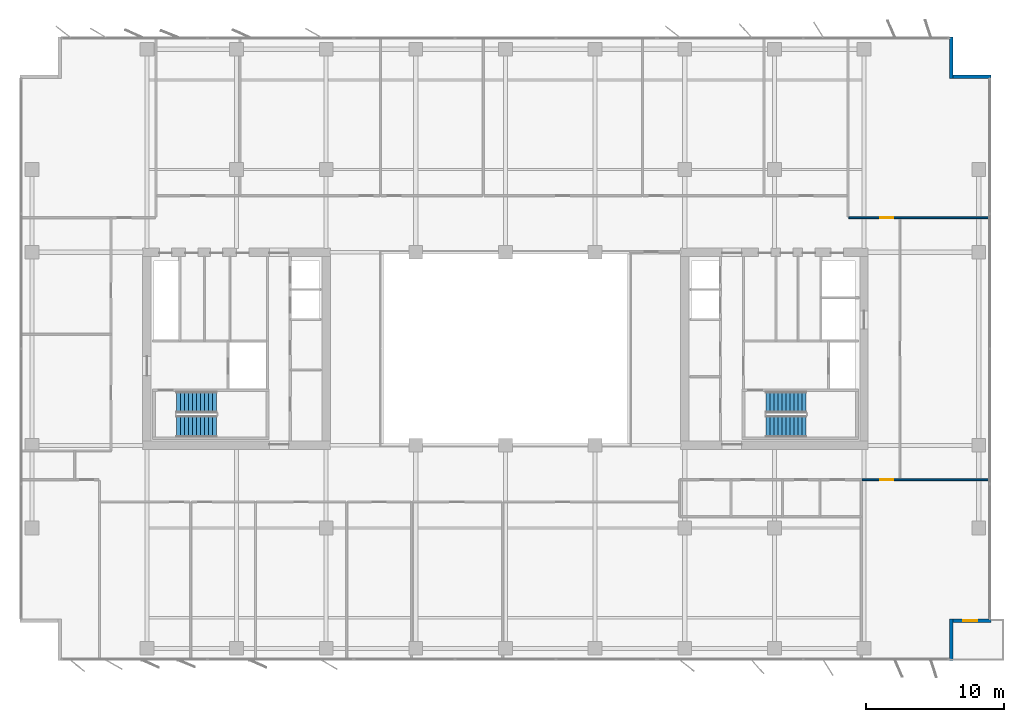
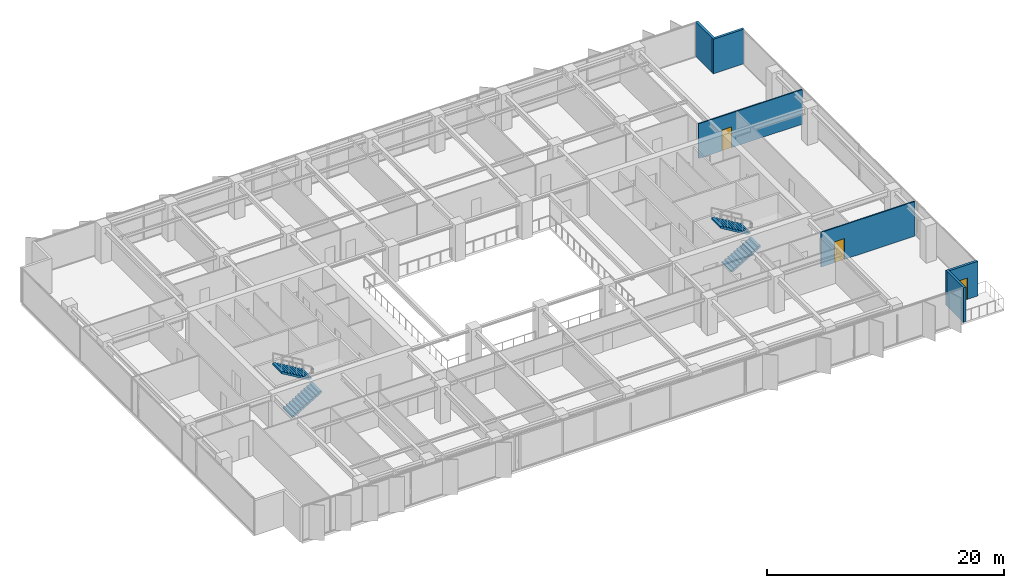
# One storey, part 18 of 22: 6 walls, 4 stair flights, 3 doors, 3 openings, 2 elements without a shape of their own.
"""IFC4 building model written with IfcOpenShell, lengths in metres."""

from ifc_helpers import new_model, si_unit, direction, frame, frame_2d, origin, place, context, subcontext, project, spatial, polyline, rectangle, outline, extrude, material, layer, layer_set, type_object, element, fill, aggregate, save


model = new_model("IFC4")

# Units and contexts
model_context = context("Model", 3, precision=1e-05, world=origin(), true_north=direction((0.0, 1.0)))
body_context = subcontext(model_context, "Body", "Model", "MODEL_VIEW")
ifc_project = project(units=[si_unit("LENGTHUNIT", "METRE"), si_unit("AREAUNIT", "SQUARE_METRE"), si_unit("VOLUMEUNIT", "CUBIC_METRE"), si_unit("PLANEANGLEUNIT", "RADIAN"), si_unit("MASSUNIT", "GRAM", prefix="KILO")], contexts=[model_context])

# Site, building, storey
site_placement = place(None, origin())
site = spatial("IfcSite", under=ifc_project, at=site_placement, CompositionType="ELEMENT")
building_placement = place(site_placement, origin())
building = spatial("IfcBuilding", under=site, at=building_placement, Name="Putna Gate Headquarters", CompositionType="ELEMENT")
storey_placement = place(building_placement, frame((0.0, 0.0, 178.39990234375)))
storey = spatial("IfcBuildingStorey", under=building, at=storey_placement, Name="L44", CompositionType="ELEMENT", Elevation=178.39990234375)

# Walls
ifc_material_1 = material(Name="Precast concrete C40/50", Category="concrete")
ifc_layer_1 = layer(ifc_material_1, 0.239990234375)
ifc_layer_set_1 = layer_set([ifc_layer_1], Name="Precast concrete C40/50")
wall_type_1 = type_object("IfcWallType", Name="WALL-EXT-TERR-240", PredefinedType="STANDARD", material=ifc_layer_set_1)
for number, where, z_axis, x_axis, name in (
    (1, (71.320068359375, 48.60009765625, 0.0), (0.0, 0.0, 1.0), (0.0, -1.0, 0.0), "L44 Corner Notch Return Wall NE-V"),
    (2, (71.199951171875, 45.719970703125, 0.0), (0.0, 0.0, 1.0), (1.0, 0.0, 0.0), "L44 Corner Notch Return Wall NE-H"),
    (3, (71.320068359375, 6.39990234375, 0.0), (0.0, 0.0, 1.0), (0.0, -1.0, 0.0), "L44 Corner Notch Return Wall SE-V"),
):
    element("IfcWall", number, at=place(storey_placement, frame(where, z_axis=z_axis, x_axis=x_axis)), inside=storey, type_object=wall_type_1, Name=name, PredefinedType="STANDARD", context=body_context, shape_type="SweptSolid", body=[
        extrude(rectangle(XDim=3.0, YDim=0.239990234375, at=frame_2d((1.5, 0.0))), origin(), (0.0, 0.0, 1.0), 3.572021484375),
    ])

# Wall, opening, door
wall_1_placement = place(storey_placement, frame((74.199951171875, 6.280029296875, 0.0), z_axis=(0.0, 0.0, 1.0), x_axis=(-1.0, 0.0, 0.0)))
wall_1 = element("IfcWall", 4, at=wall_1_placement, inside=storey, type_object=wall_type_1, Name="L44 Corner Notch Return Wall SE-H", PredefinedType="STANDARD", context=body_context, shape_type="SweptSolid", body=[
    extrude(rectangle(XDim=3.0, YDim=0.239990234375, at=frame_2d((1.5, 0.0))), origin(), (0.0, 0.0, 1.0), 3.572021484375),
])
opening_1_placement = place(wall_1_placement, frame((1.0, 0.0, 0.0)))
opening_1 = element("IfcOpeningElement", 5, at=opening_1_placement, cuts=wall_1, Name="Opening TRD-1", PredefinedType="OPENING", context=body_context, shape_type="SweptSolid", body=[
    extrude(rectangle(XDim=1.0, YDim=2.199951171875, at=frame_2d((0.5, 1.10009765625))), frame((0.0, 0.1298828125, 0.0), z_axis=(0.0, -1.0, 0.0), x_axis=(1.0, 0.0, 0.0)), (0.0, 0.0, 1.0), 0.260009765625),
])
ifc_material_2 = material(Name="Thermally broken bronze glazed terrace door")
door_type_1 = type_object("IfcDoorType", Name="DOOR-TERR-EXT-1000", OperationType="NOTDEFINED", PredefinedType="DOOR", material=ifc_material_2)
door_1_placement = place(opening_1_placement, origin())
door_1 = element("IfcDoor", 6, at=door_1_placement, inside=storey, type_object=door_type_1, Name="L44 Spiral Sky Terrace Door SE", OperationType="SINGLE_SWING_RIGHT", OverallHeight=2.199951171875, OverallWidth=1.0, PredefinedType="DOOR", context=body_context, shape_type="SweptSolid", body=[
    extrude(rectangle(XDim=1.0, YDim=2.199951171875, at=frame_2d((0.5, 1.10009765625))), frame((0.0, 0.02490234375, 0.0), z_axis=(0.0, -1.0, 0.0), x_axis=(1.0, 0.0, 0.0)), (0.0, 0.0, 1.0), 0.050048828125),
])
fill(opening_1, door_1)

ifc_material_3 = material(Name="Fire-rated gypsum board on metal stud")
ifc_layer_2 = layer(ifc_material_3, 0.1201171875)
ifc_layer_set_2 = layer_set([ifc_layer_2], Name="Fire-rated gypsum board on metal stud")
wall_type_2 = type_object("IfcWallType", Name="WALL-PART-120-RATED", PredefinedType="PARTITIONING", material=ifc_layer_set_2)
wall_2_placement = place(storey_placement, frame((63.9033203125, 35.5, 0.0), z_axis=(0.0, 0.0, 1.0), x_axis=(1.0, 0.0, 0.0)))
wall_2 = element("IfcWall", 7, at=wall_2_placement, inside=storey, type_object=wall_type_2, Name="L44 Interior Wall PART-L44-NB-CW-08", PredefinedType="PARTITIONING", context=body_context, shape_type="SweptSolid", body=[
    extrude(rectangle(XDim=10.11669921875, YDim=0.1201171875, at=frame_2d((5.058349609375, 0.0))), origin(), (0.0, 0.0, 1.0), 3.572021484375),
])
opening_2_placement = place(wall_2_placement, frame((2.266845703125, 0.0, 0.0)))
opening_2 = element("IfcOpeningElement", 8, at=opening_2_placement, cuts=wall_2, Name="Opening FD-95", PredefinedType="OPENING", context=body_context, shape_type="SweptSolid", body=[
    extrude(rectangle(XDim=0.949951171875, YDim=2.14990234375, at=frame_2d((0.47509765625, 1.074951171875))), frame((0.0, 0.070068359375, 0.0), z_axis=(0.0, -1.0, 0.0), x_axis=(1.0, 0.0, 0.0)), (0.0, 0.0, 1.0), 0.14013671875),
])
ifc_material_4 = material(Name="Acoustic timber fire door", Category="wood")
door_type_2 = type_object("IfcDoorType", Name="DOOR-FIRE-950", OperationType="NOTDEFINED", PredefinedType="DOOR", material=ifc_material_4)
door_2_placement = place(opening_2_placement, origin())
door_2 = element("IfcDoor", 9, at=door_2_placement, inside=storey, type_object=door_type_2, Name="L44 Conference Meeting Room 5 Door", OperationType="SINGLE_SWING_LEFT", OverallHeight=2.14990234375, OverallWidth=0.949951171875, PredefinedType="DOOR", context=body_context, shape_type="SweptSolid", body=[
    extrude(rectangle(XDim=0.949951171875, YDim=2.14990234375, at=frame_2d((0.47509765625, 1.074951171875))), frame((0.0, 0.02490234375, 0.0), z_axis=(0.0, -1.0, 0.0), x_axis=(1.0, 0.0, 0.0)), (0.0, 0.0, 1.0), 0.050048828125),
])
fill(opening_2, door_2)

wall_3_placement = place(storey_placement, frame((64.860107421875, 16.5, 0.0), z_axis=(0.0, 0.0, 1.0), x_axis=(1.0, 0.0, 0.0)))
wall_3 = element("IfcWall", 10, at=wall_3_placement, inside=storey, type_object=wall_type_2, Name="L44 Interior Wall PART-L44-SB-CW-08", PredefinedType="PARTITIONING", context=body_context, shape_type="SweptSolid", body=[
    extrude(rectangle(XDim=9.159912109375, YDim=0.1201171875, at=frame_2d((4.580078125, 0.0))), origin(), (0.0, 0.0, 1.0), 3.572021484375),
])
opening_3_placement = place(wall_3_placement, frame((1.31005859375, 0.0, 0.0)))
opening_3 = element("IfcOpeningElement", 11, at=opening_3_placement, cuts=wall_3, Name="Opening FD-95", PredefinedType="OPENING", context=body_context, shape_type="SweptSolid", body=[
    extrude(rectangle(XDim=0.949951171875, YDim=2.14990234375, at=frame_2d((0.47509765625, 1.074951171875))), frame((0.0, 0.070068359375, 0.0), z_axis=(0.0, -1.0, 0.0), x_axis=(1.0, 0.0, 0.0)), (0.0, 0.0, 1.0), 0.14013671875),
])
door_3_placement = place(opening_3_placement, origin())
door_3 = element("IfcDoor", 12, at=door_3_placement, inside=storey, type_object=door_type_2, Name="L44 Collaborative Breakout Lounge 2 Door", OperationType="SINGLE_SWING_LEFT", OverallHeight=2.14990234375, OverallWidth=0.949951171875, PredefinedType="DOOR", context=body_context, shape_type="SweptSolid", body=[
    extrude(rectangle(XDim=0.949951171875, YDim=2.14990234375, at=frame_2d((0.47509765625, 1.074951171875))), frame((0.0, 0.02490234375, 0.0), z_axis=(0.0, -1.0, 0.0), x_axis=(1.0, 0.0, 0.0)), (0.0, 0.0, 1.0), 0.050048828125),
])
fill(opening_3, door_3)

# Stair, stair flights
ifc_material_5 = material(Name="Concrete C40/50", Category="concrete")
stair_type_1 = type_object("IfcStairType", Name="STAIR-ST1", PredefinedType="HALF_TURN_STAIR", material=ifc_material_5)
stair_1_placement = place(storey_placement, origin())
stair_1 = element("IfcStair", 13, at=stair_1_placement, inside=storey, type_object=stair_type_1, Name="L44 West Core Exit Stair ST1", PredefinedType="HALF_TURN_STAIR")
stair_flight_type_1 = type_object("IfcStairFlightType", Name="FLIGHT-ST1", PredefinedType="STRAIGHT", material=ifc_material_5)
stair_flight_1_placement = place(storey_placement, frame((15.14990234375, 20.375, 0.0), z_axis=(0.0, 0.0, 1.0), x_axis=(1.0, 0.0, 0.0)))
stair_flight_1 = element("IfcStairFlight", 14, at=stair_flight_1_placement, type_object=stair_flight_type_1, Name="ST1 flight 1", NumberOfRisers=11, NumberOfTreads=10, PredefinedType="STRAIGHT", RiserHeight=0.172727273, TreadLength=0.29, context=body_context, shape_type="SweptSolid", body=[
    extrude(outline(polyline([(0.0, 0.0), (0.0, 0.172607421875), (0.2900390625, 0.172607421875), (0.2900390625, 0.345458984375), (0.580078125, 0.345458984375), (0.580078125, 0.51806640625), (0.8701171875, 0.51806640625), (0.8701171875, 0.69091796875), (1.159912109375, 0.69091796875), (1.159912109375, 0.863525390625), (1.449951171875, 0.863525390625), (1.449951171875, 1.036376953125), (1.739990234375, 1.036376953125), (1.739990234375, 1.208984375), (2.030029296875, 1.208984375), (2.030029296875, 1.3818359375), (2.320068359375, 1.3818359375), (2.320068359375, 1.554443359375), (2.610107421875, 1.554443359375), (2.610107421875, 1.727294921875), (2.89990234375, 1.727294921875), (2.89990234375, 1.89990234375), (2.89990234375, 1.552734375), (0.29296875, 0.0), (0.0, 0.0)])), frame((0.0, 0.77490234375, 0.0), z_axis=(0.0, -1.0, 0.0), x_axis=(1.0, 0.0, 0.0)), (0.0, 0.0, 1.0), 1.550048828125),
])
stair_flight_2_placement = place(storey_placement, frame((18.050048828125, 22.125, 1.900146484375), z_axis=(0.0, 0.0, 1.0), x_axis=(-1.0, 0.0, 0.0)))
stair_flight_2 = element("IfcStairFlight", 15, at=stair_flight_2_placement, type_object=stair_flight_type_1, Name="ST1 flight 2", NumberOfRisers=11, NumberOfTreads=10, PredefinedType="STRAIGHT", RiserHeight=0.172727273, TreadLength=0.29, context=body_context, shape_type="SweptSolid", body=[
    extrude(outline(polyline([(0.0, 0.0), (0.0, 0.172607421875), (0.2900390625, 0.172607421875), (0.2900390625, 0.345458984375), (0.580078125, 0.345458984375), (0.580078125, 0.51806640625), (0.8701171875, 0.51806640625), (0.8701171875, 0.69091796875), (1.159912109375, 0.69091796875), (1.159912109375, 0.863525390625), (1.449951171875, 0.863525390625), (1.449951171875, 1.036376953125), (1.739990234375, 1.036376953125), (1.739990234375, 1.208984375), (2.030029296875, 1.208984375), (2.030029296875, 1.3818359375), (2.320068359375, 1.3818359375), (2.320068359375, 1.554443359375), (2.610107421875, 1.554443359375), (2.610107421875, 1.727294921875), (2.89990234375, 1.727294921875), (2.89990234375, 1.89990234375), (2.89990234375, 1.552734375), (0.29296875, 0.0), (0.0, 0.0)])), frame((0.0, 0.77490234375, 0.0), z_axis=(0.0, -1.0, 0.0), x_axis=(1.0, 0.0, 0.0)), (0.0, 0.0, 1.0), 1.550048828125),
])
aggregate(stair_1, [stair_flight_1, stair_flight_2])

stair_type_2 = type_object("IfcStairType", Name="STAIR-ST2", PredefinedType="HALF_TURN_STAIR", material=ifc_material_5)
stair_2_placement = place(storey_placement, origin())
stair_2 = element("IfcStair", 16, at=stair_2_placement, inside=storey, type_object=stair_type_2, Name="L44 East Core Exit Stair ST2", PredefinedType="HALF_TURN_STAIR")
stair_flight_type_2 = type_object("IfcStairFlightType", Name="FLIGHT-ST2", PredefinedType="STRAIGHT", material=ifc_material_5)
stair_flight_3_placement = place(storey_placement, frame((57.89990234375, 20.375, 0.0), z_axis=(0.0, 0.0, 1.0), x_axis=(1.0, 0.0, 0.0)))
stair_flight_3 = element("IfcStairFlight", 17, at=stair_flight_3_placement, type_object=stair_flight_type_2, Name="ST2 flight 1", NumberOfRisers=11, NumberOfTreads=10, PredefinedType="STRAIGHT", RiserHeight=0.172727273, TreadLength=0.29, context=body_context, shape_type="SweptSolid", body=[
    extrude(outline(polyline([(0.0, 0.0), (0.0, 0.172607421875), (0.2900390625, 0.172607421875), (0.2900390625, 0.345458984375), (0.580078125, 0.345458984375), (0.580078125, 0.51806640625), (0.8701171875, 0.51806640625), (0.8701171875, 0.69091796875), (1.159912109375, 0.69091796875), (1.159912109375, 0.863525390625), (1.449951171875, 0.863525390625), (1.449951171875, 1.036376953125), (1.739990234375, 1.036376953125), (1.739990234375, 1.208984375), (2.030029296875, 1.208984375), (2.030029296875, 1.3818359375), (2.320068359375, 1.3818359375), (2.320068359375, 1.554443359375), (2.610107421875, 1.554443359375), (2.610107421875, 1.727294921875), (2.89990234375, 1.727294921875), (2.89990234375, 1.89990234375), (2.89990234375, 1.552734375), (0.29296875, 0.0), (0.0, 0.0)])), frame((0.0, 0.77490234375, 0.0), z_axis=(0.0, -1.0, 0.0), x_axis=(1.0, 0.0, 0.0)), (0.0, 0.0, 1.0), 1.550048828125),
])
stair_flight_4_placement = place(storey_placement, frame((60.800048828125, 22.125, 1.900146484375), z_axis=(0.0, 0.0, 1.0), x_axis=(-1.0, 0.0, 0.0)))
stair_flight_4 = element("IfcStairFlight", 18, at=stair_flight_4_placement, type_object=stair_flight_type_2, Name="ST2 flight 2", NumberOfRisers=11, NumberOfTreads=10, PredefinedType="STRAIGHT", RiserHeight=0.172727273, TreadLength=0.29, context=body_context, shape_type="SweptSolid", body=[
    extrude(outline(polyline([(0.0, 0.0), (0.0, 0.172607421875), (0.2900390625, 0.172607421875), (0.2900390625, 0.345458984375), (0.580078125, 0.345458984375), (0.580078125, 0.51806640625), (0.8701171875, 0.51806640625), (0.8701171875, 0.69091796875), (1.159912109375, 0.69091796875), (1.159912109375, 0.863525390625), (1.449951171875, 0.863525390625), (1.449951171875, 1.036376953125), (1.739990234375, 1.036376953125), (1.739990234375, 1.208984375), (2.030029296875, 1.208984375), (2.030029296875, 1.3818359375), (2.320068359375, 1.3818359375), (2.320068359375, 1.554443359375), (2.610107421875, 1.554443359375), (2.610107421875, 1.727294921875), (2.89990234375, 1.727294921875), (2.89990234375, 1.89990234375), (2.89990234375, 1.552734375), (0.29296875, 0.0), (0.0, 0.0)])), frame((0.0, 0.77490234375, 0.0), z_axis=(0.0, -1.0, 0.0), x_axis=(1.0, 0.0, 0.0)), (0.0, 0.0, 1.0), 1.550048828125),
])
aggregate(stair_2, [stair_flight_3, stair_flight_4])

save(model, "model.ifc")
